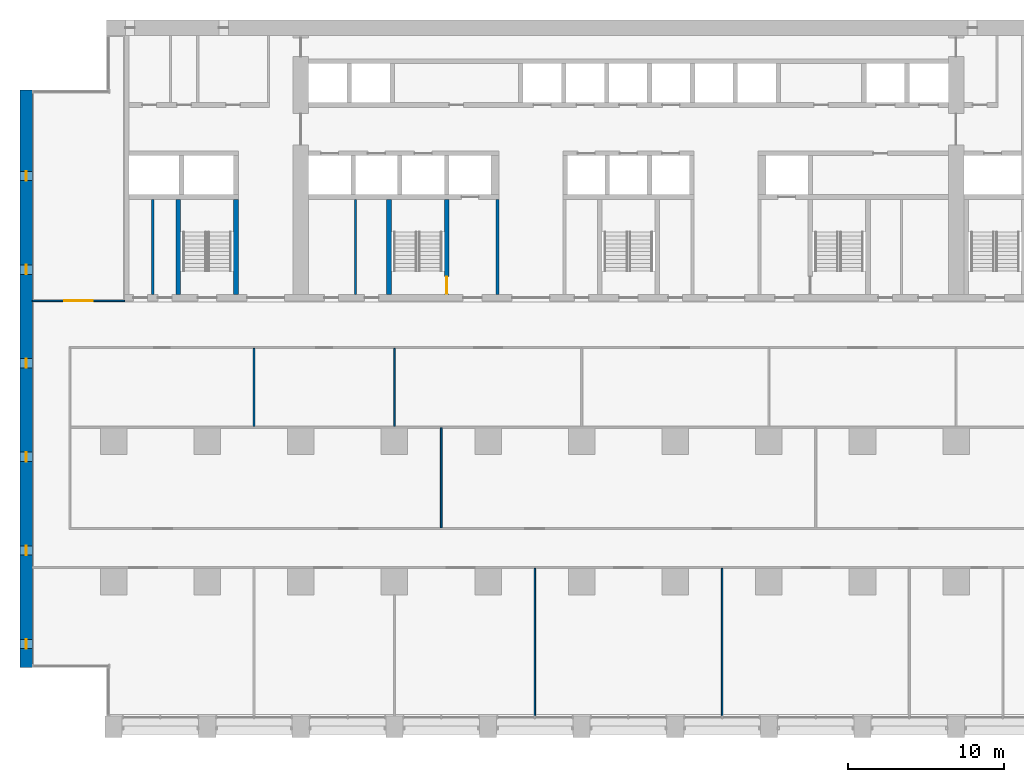
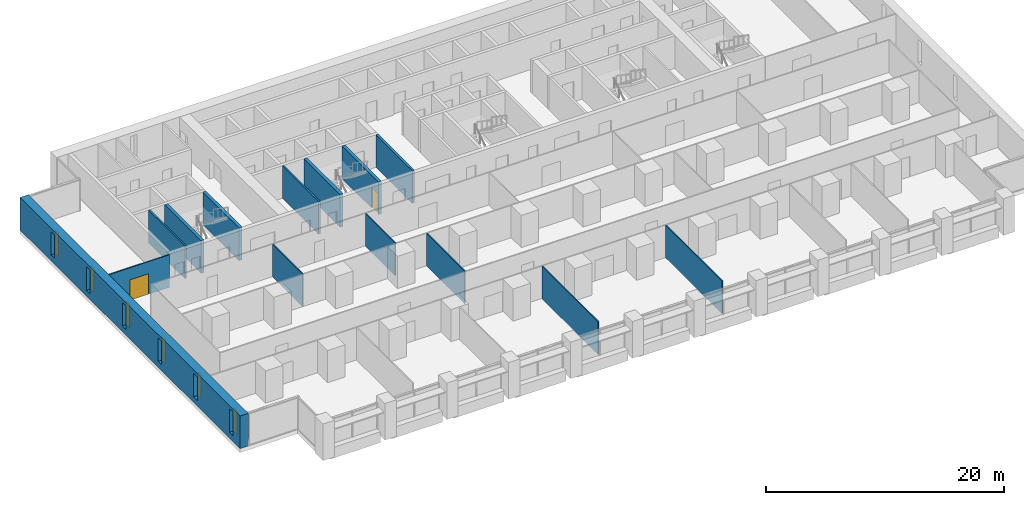
# One storey, part 8 of 18: 14 walls, 6 windows, 2 doors, 8 openings.
"""IFC4 building model written with IfcOpenShell, lengths in metres."""

from ifc_helpers import new_model, si_unit, direction, frame, frame_2d, origin, place, context, subcontext, project, spatial, rectangle, extrude, material, layer, layer_set, type_object, element, fill, save


model = new_model("IFC4")

# Units and contexts
model_context = context("Model", 3, precision=1e-05, world=origin(), true_north=direction((0.0, 1.0)))
body_context = subcontext(model_context, "Body", "Model", "MODEL_VIEW")
ifc_project = project(units=[si_unit("LENGTHUNIT", "METRE"), si_unit("AREAUNIT", "SQUARE_METRE"), si_unit("VOLUMEUNIT", "CUBIC_METRE"), si_unit("PLANEANGLEUNIT", "RADIAN"), si_unit("MASSUNIT", "GRAM", prefix="KILO")], contexts=[model_context])

# Site, building, storey
site_placement = place(None, origin())
site = spatial("IfcSite", under=ifc_project, at=site_placement, CompositionType="ELEMENT")
building_placement = place(site_placement, origin())
building = spatial("IfcBuilding", under=site, at=building_placement, Name="Calvaro Tower", CompositionType="ELEMENT")
storey_placement = place(building_placement, frame((0.0, 0.0, 45.0)))
storey = spatial("IfcBuildingStorey", under=building, at=storey_placement, Name="L10", CompositionType="ELEMENT", Elevation=45.0)

# Walls
ifc_material_1 = material(Name="Blockwork partition", Category="masonry")
ifc_layer_1 = layer(ifc_material_1, 0.14990234375)
ifc_layer_set_1 = layer_set([ifc_layer_1], Name="Blockwork partition")
wall_type_1 = type_object("IfcWallType", Name="Core partition 150 EI 60", PredefinedType="PARTITIONING", material=ifc_layer_set_1)
wall_1_placement = place(storey_placement, frame((8.5, 28.39990234375, 0.0), z_axis=(0.0, 0.0, 1.0), x_axis=(0.0, 1.0, 0.0)))
element("IfcWall", 1, at=wall_1_placement, inside=storey, type_object=wall_type_1, Name="Core partition", PredefinedType="PARTITIONING", context=body_context, shape_type="SweptSolid", body=[
    extrude(rectangle(XDim=6.10009765625, YDim=0.14990234375, at=frame_2d((3.050048828125, 0.0))), origin(), (0.0, 0.0, 1.0), 3.35009765625),
])
ifc_material_2 = material(Name="Blockwork partition", Category="masonry")
ifc_layer_2 = layer(ifc_material_2, 0.14990234375)
ifc_layer_set_2 = layer_set([ifc_layer_2], Name="Blockwork partition")
wall_type_2 = type_object("IfcWallType", Name="Core partition 150 REI 120", PredefinedType="PARTITIONING", material=ifc_layer_set_2)
wall_2_placement = place(storey_placement, frame((21.5, 28.39990234375, 0.0), z_axis=(0.0, 0.0, 1.0), x_axis=(0.0, 1.0, 0.0)))
element("IfcWall", 2, at=wall_2_placement, inside=storey, type_object=wall_type_2, Name="Core partition", PredefinedType="PARTITIONING", context=body_context, shape_type="SweptSolid", body=[
    extrude(rectangle(XDim=6.10009765625, YDim=0.14990234375, at=frame_2d((3.050048828125, 0.0))), origin(), (0.0, 0.0, 1.0), 3.35009765625),
])
ifc_material_3 = material(Name="Blockwork partition", Category="masonry")
ifc_layer_3 = layer(ifc_material_3, 0.199951171875)
ifc_layer_set_3 = layer_set([ifc_layer_3], Name="Blockwork partition")
wall_type_3 = type_object("IfcWallType", Name="Core partition 200 REI 120", PredefinedType="PARTITIONING", material=ifc_layer_set_3)
wall_3_placement = place(storey_placement, frame((30.60009765625, 28.39990234375, 0.0), z_axis=(0.0, 0.0, 1.0), x_axis=(0.0, 1.0, 0.0)))
element("IfcWall", 3, at=wall_3_placement, inside=storey, type_object=wall_type_3, Name="Core partition", PredefinedType="PARTITIONING", context=body_context, shape_type="SweptSolid", body=[
    extrude(rectangle(XDim=6.10009765625, YDim=0.199951171875, at=frame_2d((3.050048828125, 0.0))), origin(), (0.0, 0.0, 1.0), 3.35009765625),
])
ifc_material_4 = material(Name="Concrete C80/95", Category="concrete")
ifc_layer_4 = layer(ifc_material_4, 0.300048828125)
ifc_layer_set_4 = layer_set([ifc_layer_4], Name="Concrete C80/95")
wall_type_4 = type_object("IfcWallType", Name="Core wall C80/95 300", PredefinedType="SHEAR", material=ifc_layer_set_4)
for number, where, z_axis, x_axis, name in (
    (4, (10.14990234375, 28.39990234375, 0.0), (0.0, 0.0, 1.0), (0.0, 1.0, 0.0), "Core wall, stair enclosure"),
    (5, (13.85009765625, 28.39990234375, 0.0), (0.0, 0.0, 1.0), (0.0, 1.0, 0.0), "Core wall, stair enclosure"),
    (6, (23.64990234375, 28.39990234375, 0.0), (0.0, 0.0, 1.0), (0.0, 1.0, 0.0), "Core wall, stair enclosure"),
):
    element("IfcWall", number, at=place(storey_placement, frame(where, z_axis=z_axis, x_axis=x_axis)), inside=storey, type_object=wall_type_4, Name=name, PredefinedType="SHEAR", context=body_context, shape_type="SweptSolid", body=[
        extrude(rectangle(XDim=6.10009765625, YDim=0.300048828125, at=frame_2d((3.050048828125, 0.0))), origin(), (0.0, 0.0, 1.0), 3.35009765625),
    ])

# Wall, opening, door
wall_4_placement = place(storey_placement, frame((27.35009765625, 28.39990234375, 0.0), z_axis=(0.0, 0.0, 1.0), x_axis=(0.0, 1.0, 0.0)))
wall_4 = element("IfcWall", 7, at=wall_4_placement, inside=storey, type_object=wall_type_4, Name="Core wall, stair enclosure", PredefinedType="SHEAR", context=body_context, shape_type="SweptSolid", body=[
    extrude(rectangle(XDim=6.10009765625, YDim=0.300048828125, at=frame_2d((3.050048828125, 0.0))), origin(), (0.0, 0.0, 1.0), 3.35009765625),
])
opening_1_placement = place(wall_4_placement, frame((0.050048828125, 0.0, 0.0)))
opening_1 = element("IfcOpeningElement", 8, at=opening_1_placement, cuts=wall_4, Name="Opening FD11D", PredefinedType="OPENING", context=body_context, shape_type="SweptSolid", body=[
    extrude(rectangle(XDim=1.10009765625, YDim=2.10009765625, at=frame_2d((0.550048828125, 1.050048828125))), frame((0.0, 0.159912109375, 0.0), z_axis=(0.0, -1.0, 0.0), x_axis=(1.0, 0.0, 0.0)), (0.0, 0.0, 1.0), 0.320068359375),
])
ifc_material_5 = material(Name="Steel door set", Category="steel")
door_type_1 = type_object("IfcDoorType", Name="Fire door 1100 FD30S", OperationType="SINGLE_SWING_LEFT", PredefinedType="DOOR", material=ifc_material_5)
door_1_placement = place(opening_1_placement, origin())
door_1 = element("IfcDoor", 9, at=door_1_placement, inside=storey, type_object=door_type_1, Name="Fire door", OperationType="SINGLE_SWING_LEFT", OverallHeight=2.10009765625, OverallWidth=1.10009765625, PredefinedType="DOOR", context=body_context, shape_type="SweptSolid", body=[
    extrude(rectangle(XDim=1.10009765625, YDim=2.10009765625, at=frame_2d((0.550048828125, 1.050048828125))), frame((0.0, 0.02490234375, 0.0), z_axis=(0.0, -1.0, 0.0), x_axis=(1.0, 0.0, 0.0)), (0.0, 0.0, 1.0), 0.050048828125),
])
fill(opening_1, door_1)

# Wall, openings, windows
ifc_material_6 = material(Name="Concrete C80/95", Category="concrete")
ifc_layer_5 = layer(ifc_material_6, 0.800048828125)
ifc_layer_set_5 = layer_set([ifc_layer_5], Name="Concrete C80/95")
wall_type_5 = type_object("IfcWallType", Name="End wall 800 C80/95", PredefinedType="SHEAR", material=ifc_layer_set_5)
wall_5_placement = place(storey_placement, frame((0.39990234375, 4.5, 0.0), z_axis=(0.0, 0.0, 1.0), x_axis=(0.0, 1.0, 0.0)))
wall_5 = element("IfcWall", 10, at=wall_5_placement, inside=storey, type_object=wall_type_5, Name="End shear wall", PredefinedType="SHEAR", context=body_context, shape_type="SweptSolid", body=[
    extrude(rectangle(XDim=37.0, YDim=0.800048828125, at=frame_2d((18.5, 0.0))), origin(), (0.0, 0.0, 1.0), 3.35009765625),
])
opening_2_placement = place(wall_5_placement, frame((1.199951171875, 0.0, 0.60009765625)))
opening_2 = element("IfcOpeningElement", 11, at=opening_2_placement, cuts=wall_5, Name="Opening WW01", PredefinedType="OPENING", context=body_context, shape_type="SweptSolid", body=[
    extrude(rectangle(XDim=0.60009765625, YDim=2.39990234375, at=frame_2d((0.300048828125, 1.199951171875))), frame((0.0, 0.409912109375, 0.0), z_axis=(0.0, -1.0, 0.0), x_axis=(1.0, 0.0, 0.0)), (0.0, 0.0, 1.0), 0.820068359375),
])
opening_3_placement = place(wall_5_placement, frame((7.199951171875, 0.0, 0.60009765625)))
opening_3 = element("IfcOpeningElement", 12, at=opening_3_placement, cuts=wall_5, Name="Opening WW02", PredefinedType="OPENING", context=body_context, shape_type="SweptSolid", body=[
    extrude(rectangle(XDim=0.60009765625, YDim=2.39990234375, at=frame_2d((0.300048828125, 1.199951171875))), frame((0.0, 0.409912109375, 0.0), z_axis=(0.0, -1.0, 0.0), x_axis=(1.0, 0.0, 0.0)), (0.0, 0.0, 1.0), 0.820068359375),
])
opening_4_placement = place(wall_5_placement, frame((13.199951171875, 0.0, 0.60009765625)))
opening_4 = element("IfcOpeningElement", 13, at=opening_4_placement, cuts=wall_5, Name="Opening WW03", PredefinedType="OPENING", context=body_context, shape_type="SweptSolid", body=[
    extrude(rectangle(XDim=0.60009765625, YDim=2.39990234375, at=frame_2d((0.300048828125, 1.199951171875))), frame((0.0, 0.409912109375, 0.0), z_axis=(0.0, -1.0, 0.0), x_axis=(1.0, 0.0, 0.0)), (0.0, 0.0, 1.0), 0.820068359375),
])
opening_5_placement = place(wall_5_placement, frame((19.199951171875, 0.0, 0.60009765625)))
opening_5 = element("IfcOpeningElement", 14, at=opening_5_placement, cuts=wall_5, Name="Opening WW04", PredefinedType="OPENING", context=body_context, shape_type="SweptSolid", body=[
    extrude(rectangle(XDim=0.60009765625, YDim=2.39990234375, at=frame_2d((0.300048828125, 1.199951171875))), frame((0.0, 0.409912109375, 0.0), z_axis=(0.0, -1.0, 0.0), x_axis=(1.0, 0.0, 0.0)), (0.0, 0.0, 1.0), 0.820068359375),
])
opening_6_placement = place(wall_5_placement, frame((25.199951171875, 0.0, 0.60009765625)))
opening_6 = element("IfcOpeningElement", 15, at=opening_6_placement, cuts=wall_5, Name="Opening WW05", PredefinedType="OPENING", context=body_context, shape_type="SweptSolid", body=[
    extrude(rectangle(XDim=0.60009765625, YDim=2.39990234375, at=frame_2d((0.300048828125, 1.199951171875))), frame((0.0, 0.409912109375, 0.0), z_axis=(0.0, -1.0, 0.0), x_axis=(1.0, 0.0, 0.0)), (0.0, 0.0, 1.0), 0.820068359375),
])
opening_7_placement = place(wall_5_placement, frame((31.199951171875, 0.0, 0.60009765625)))
opening_7 = element("IfcOpeningElement", 16, at=opening_7_placement, cuts=wall_5, Name="Opening WW06", PredefinedType="OPENING", context=body_context, shape_type="SweptSolid", body=[
    extrude(rectangle(XDim=0.60009765625, YDim=2.39990234375, at=frame_2d((0.300048828125, 1.199951171875))), frame((0.0, 0.409912109375, 0.0), z_axis=(0.0, -1.0, 0.0), x_axis=(1.0, 0.0, 0.0)), (0.0, 0.0, 1.0), 0.820068359375),
])
ifc_material_7 = material(Name="Glass", Category="glass")
window_type = type_object("IfcWindowType", Name="Slit window 600 x 2400", PartitioningType="SINGLE_PANEL", PredefinedType="WINDOW", material=ifc_material_7)
window_1_placement = place(opening_2_placement, origin())
window_1 = element("IfcWindow", 17, at=window_1_placement, inside=storey, type_object=window_type, Name="Window WW01", OverallHeight=2.39990234375, OverallWidth=0.60009765625, PartitioningType="SINGLE_PANEL", PredefinedType="WINDOW", context=body_context, shape_type="SweptSolid", body=[
    extrude(rectangle(XDim=0.60009765625, YDim=2.39990234375, at=frame_2d((0.300048828125, 1.199951171875))), frame((0.0, 0.030029296875, 0.0), z_axis=(0.0, -1.0, 0.0), x_axis=(1.0, 0.0, 0.0)), (0.0, 0.0, 1.0), 0.06005859375),
])
fill(opening_2, window_1)
window_2_placement = place(opening_3_placement, origin())
window_2 = element("IfcWindow", 18, at=window_2_placement, inside=storey, type_object=window_type, Name="Window WW02", OverallHeight=2.39990234375, OverallWidth=0.60009765625, PartitioningType="SINGLE_PANEL", PredefinedType="WINDOW", context=body_context, shape_type="SweptSolid", body=[
    extrude(rectangle(XDim=0.60009765625, YDim=2.39990234375, at=frame_2d((0.300048828125, 1.199951171875))), frame((0.0, 0.030029296875, 0.0), z_axis=(0.0, -1.0, 0.0), x_axis=(1.0, 0.0, 0.0)), (0.0, 0.0, 1.0), 0.06005859375),
])
fill(opening_3, window_2)
window_3_placement = place(opening_4_placement, origin())
window_3 = element("IfcWindow", 19, at=window_3_placement, inside=storey, type_object=window_type, Name="Window WW03", OverallHeight=2.39990234375, OverallWidth=0.60009765625, PartitioningType="SINGLE_PANEL", PredefinedType="WINDOW", context=body_context, shape_type="SweptSolid", body=[
    extrude(rectangle(XDim=0.60009765625, YDim=2.39990234375, at=frame_2d((0.300048828125, 1.199951171875))), frame((0.0, 0.030029296875, 0.0), z_axis=(0.0, -1.0, 0.0), x_axis=(1.0, 0.0, 0.0)), (0.0, 0.0, 1.0), 0.06005859375),
])
fill(opening_4, window_3)
window_4_placement = place(opening_5_placement, origin())
window_4 = element("IfcWindow", 20, at=window_4_placement, inside=storey, type_object=window_type, Name="Window WW04", OverallHeight=2.39990234375, OverallWidth=0.60009765625, PartitioningType="SINGLE_PANEL", PredefinedType="WINDOW", context=body_context, shape_type="SweptSolid", body=[
    extrude(rectangle(XDim=0.60009765625, YDim=2.39990234375, at=frame_2d((0.300048828125, 1.199951171875))), frame((0.0, 0.030029296875, 0.0), z_axis=(0.0, -1.0, 0.0), x_axis=(1.0, 0.0, 0.0)), (0.0, 0.0, 1.0), 0.06005859375),
])
fill(opening_5, window_4)
window_5_placement = place(opening_6_placement, origin())
window_5 = element("IfcWindow", 21, at=window_5_placement, inside=storey, type_object=window_type, Name="Window WW05", OverallHeight=2.39990234375, OverallWidth=0.60009765625, PartitioningType="SINGLE_PANEL", PredefinedType="WINDOW", context=body_context, shape_type="SweptSolid", body=[
    extrude(rectangle(XDim=0.60009765625, YDim=2.39990234375, at=frame_2d((0.300048828125, 1.199951171875))), frame((0.0, 0.030029296875, 0.0), z_axis=(0.0, -1.0, 0.0), x_axis=(1.0, 0.0, 0.0)), (0.0, 0.0, 1.0), 0.06005859375),
])
fill(opening_6, window_5)
window_6_placement = place(opening_7_placement, origin())
window_6 = element("IfcWindow", 22, at=window_6_placement, inside=storey, type_object=window_type, Name="Window WW06", OverallHeight=2.39990234375, OverallWidth=0.60009765625, PartitioningType="SINGLE_PANEL", PredefinedType="WINDOW", context=body_context, shape_type="SweptSolid", body=[
    extrude(rectangle(XDim=0.60009765625, YDim=2.39990234375, at=frame_2d((0.300048828125, 1.199951171875))), frame((0.0, 0.030029296875, 0.0), z_axis=(0.0, -1.0, 0.0), x_axis=(1.0, 0.0, 0.0)), (0.0, 0.0, 1.0), 0.06005859375),
])
fill(opening_7, window_6)

# Wall, opening, door
ifc_material_8 = material(Name="Plasterboard on steel studs", Category="steel")
ifc_layer_6 = layer(ifc_material_8, 0.10009765625)
ifc_layer_set_6 = layer_set([ifc_layer_6], Name="Plasterboard on steel studs")
wall_type_6 = type_object("IfcWallType", Name="Partition 100", PredefinedType="PARTITIONING", material=ifc_layer_set_6)
wall_6_placement = place(storey_placement, frame((0.800048828125, 28.0, 0.0), z_axis=(0.0, 0.0, 1.0), x_axis=(1.0, 0.0, 0.0)))
wall_6 = element("IfcWall", 23, at=wall_6_placement, inside=storey, type_object=wall_type_6, Name="Partition T10.W005", PredefinedType="PARTITIONING", context=body_context, shape_type="SweptSolid", body=[
    extrude(rectangle(XDim=5.89990234375, YDim=0.10009765625, at=frame_2d((2.949951171875, 0.0))), origin(), (0.0, 0.0, 1.0), 3.35009765625),
])
opening_8_placement = place(wall_6_placement, frame((2.050048828125, 0.0, 0.0)))
opening_8 = element("IfcOpeningElement", 24, at=opening_8_placement, cuts=wall_6, Name="Opening T10.022", PredefinedType="OPENING", context=body_context, shape_type="SweptSolid", body=[
    extrude(rectangle(XDim=1.800048828125, YDim=2.10009765625, at=frame_2d((0.89990234375, 1.050048828125))), frame((0.0, 0.06005859375, 0.0), z_axis=(0.0, -1.0, 0.0), x_axis=(1.0, 0.0, 0.0)), (0.0, 0.0, 1.0), 0.1201171875),
])
ifc_material_9 = material(Name="Timber", Category="wood")
door_type_2 = type_object("IfcDoorType", Name="Internal double door 1800 x 2100", OperationType="DOUBLE_DOOR_SINGLE_SWING", PredefinedType="DOOR", material=ifc_material_9)
door_2_placement = place(opening_8_placement, origin())
door_2 = element("IfcDoor", 25, at=door_2_placement, inside=storey, type_object=door_type_2, Name="Door T10.022", OperationType="DOUBLE_DOOR_SINGLE_SWING", OverallHeight=2.10009765625, OverallWidth=1.800048828125, PredefinedType="DOOR", context=body_context, shape_type="SweptSolid", body=[
    extrude(rectangle(XDim=1.800048828125, YDim=2.10009765625, at=frame_2d((0.89990234375, 1.050048828125))), frame((0.0, 0.02490234375, 0.0), z_axis=(0.0, -1.0, 0.0), x_axis=(1.0, 0.0, 0.0)), (0.0, 0.0, 1.0), 0.050048828125),
])
fill(opening_8, door_2)

# Walls
wall_7_placement = place(storey_placement, frame((24.0, 19.949951171875, 0.0), z_axis=(0.0, 0.0, 1.0), x_axis=(0.0, 1.0, 0.0)))
element("IfcWall", 26, at=wall_7_placement, inside=storey, type_object=wall_type_6, Name="Partition T10.W011", PredefinedType="PARTITIONING", context=body_context, shape_type="SweptSolid", body=[
    extrude(rectangle(XDim=5.0, YDim=0.10009765625, at=frame_2d((2.5, 0.0))), origin(), (0.0, 0.0, 1.0), 3.35009765625),
])
wall_8_placement = place(storey_placement, frame((27.0, 13.449951171875, 0.0), z_axis=(0.0, 0.0, 1.0), x_axis=(0.0, 1.0, 0.0)))
element("IfcWall", 27, at=wall_8_placement, inside=storey, type_object=wall_type_6, Name="Partition T10.W012", PredefinedType="PARTITIONING", context=body_context, shape_type="SweptSolid", body=[
    extrude(rectangle(XDim=6.400146484375, YDim=0.10009765625, at=frame_2d((3.2001953125, 0.0))), origin(), (0.0, 0.0, 1.0), 3.35009765625),
])
for number, where, z_axis, x_axis, name in (
    (28, (33.0, 1.39990234375, 0.0), (0.0, 0.0, 1.0), (0.0, 1.0, 0.0), "Partition T10.W013"),
    (29, (45.0, 1.39990234375, 0.0), (0.0, 0.0, 1.0), (0.0, 1.0, 0.0), "Partition T10.W015"),
):
    element("IfcWall", number, at=place(storey_placement, frame(where, z_axis=z_axis, x_axis=x_axis)), inside=storey, type_object=wall_type_6, Name=name, PredefinedType="PARTITIONING", context=body_context, shape_type="SweptSolid", body=[
        extrude(rectangle(XDim=9.4501953125, YDim=0.10009765625, at=frame_2d((4.72509765625, 0.0))), origin(), (0.0, 0.0, 1.0), 3.35009765625),
    ])
ifc_material_10 = material(Name="Plasterboard on steel studs", Category="steel")
ifc_layer_7 = layer(ifc_material_10, 0.10009765625)
ifc_layer_set_7 = layer_set([ifc_layer_7], Name="Plasterboard on steel studs")
wall_type_7 = type_object("IfcWallType", Name="Partition 100 REI 120", PredefinedType="PARTITIONING", material=ifc_layer_set_7)
wall_9_placement = place(storey_placement, frame((15.0, 19.949951171875, 0.0), z_axis=(0.0, 0.0, 1.0), x_axis=(0.0, 1.0, 0.0)))
element("IfcWall", 30, at=wall_9_placement, inside=storey, type_object=wall_type_7, Name="Partition T10.W009", PredefinedType="PARTITIONING", context=body_context, shape_type="SweptSolid", body=[
    extrude(rectangle(XDim=5.0, YDim=0.10009765625, at=frame_2d((2.5, 0.0))), origin(), (0.0, 0.0, 1.0), 3.35009765625),
])

save(model, "model.ifc")
